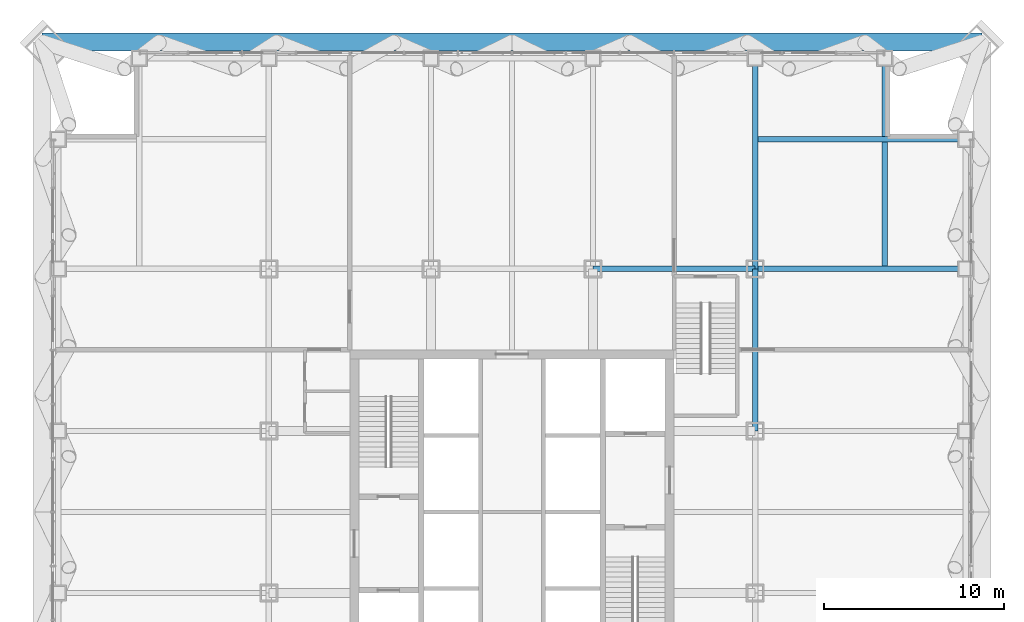
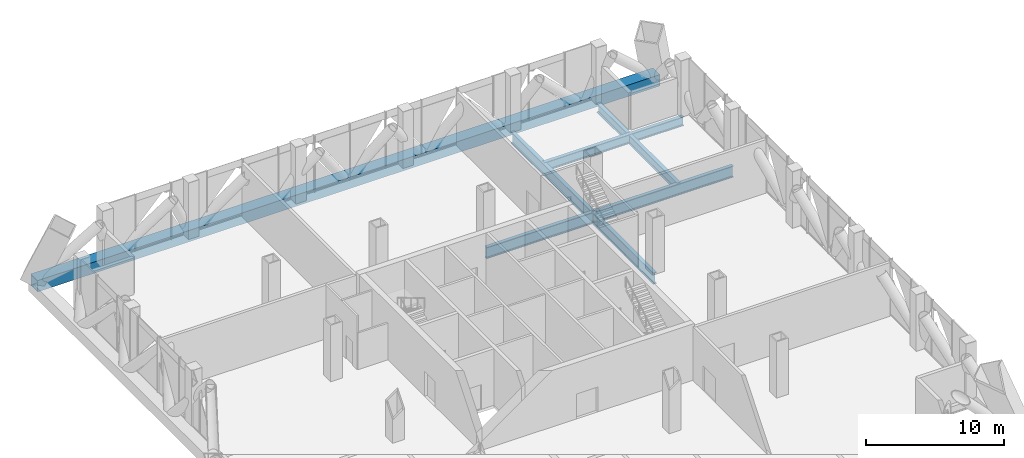
# One storey, part 11 of 26: 6 beams, 1 member.
"""IFC4 building model written with IfcOpenShell, lengths in metres."""

from ifc_helpers import new_model, si_unit, direction, frame, origin, origin_2d, place, context, subcontext, project, spatial, hollow_rectangle, i_section, extrude, material, material_profile, profile_set, type_object, element, save


model = new_model("IFC4")

# Units and contexts
model_context = context("Model", 3, precision=1e-05, world=origin(), true_north=direction((0.0, 1.0)))
body_context = subcontext(model_context, "Body", "Model", "MODEL_VIEW")
ifc_project = project(units=[si_unit("LENGTHUNIT", "METRE"), si_unit("AREAUNIT", "SQUARE_METRE"), si_unit("VOLUMEUNIT", "CUBIC_METRE"), si_unit("PLANEANGLEUNIT", "RADIAN"), si_unit("MASSUNIT", "GRAM", prefix="KILO")], contexts=[model_context])

# Site, building, storey
site_placement = place(None, origin())
site = spatial("IfcSite", under=ifc_project, at=site_placement, CompositionType="ELEMENT")
building_placement = place(site_placement, origin())
building = spatial("IfcBuilding", under=site, at=building_placement, Name="Malebo Sky Hospital", CompositionType="ELEMENT")
storey_placement = place(building_placement, frame((0.0, 0.0, 95.0)))
storey = spatial("IfcBuildingStorey", under=building, at=storey_placement, Name="L22", CompositionType="ELEMENT", Elevation=95.0)

# Beams
ifc_material_1 = material(Name="Steel S355", Category="steel")
ifc_material_profile_1 = material_profile(ifc_material_1, i_section(OverallWidth=0.300048828125, OverallDepth=1.0, WebThickness=0.01904296875, FlangeThickness=0.035888671875, FilletRadius=0.030029296875, at=origin_2d()), Name="HEB 1000")
ifc_profile_set_1 = profile_set([ifc_material_profile_1], Name="Steel S355")
beam_type_1 = type_object("IfcBeamType", Name="FLOOR BEAM HEB 1000", PredefinedType="BEAM", material=ifc_profile_set_1)
for number, where, z_axis, x_axis, name in (
    (1, (73.5, 66.5, -0.75), (0.0, 1.0, 0.0), (-1.0, 0.0, 0.0), "Beam 025 L22"),
    (2, (64.5, 75.5, -0.75), (1.0, 0.0, 0.0), (0.0, 1.0, 0.0), "Beam 059 L22"),
):
    element("IfcBeam", number, at=place(storey_placement, frame(where, z_axis=z_axis, x_axis=x_axis)), inside=storey, type_object=beam_type_1, Name=name, PredefinedType="BEAM", context=body_context, shape_type="SweptSolid", body=[
        extrude(i_section(OverallWidth=0.300048828125, OverallDepth=1.0, WebThickness=0.01904296875, FlangeThickness=0.035888671875, FilletRadius=0.030029296875, at=origin_2d()), origin(), (0.0, 0.0, 1.0), 9.0),
    ])
ifc_material_profile_2 = material_profile(ifc_material_1, i_section(OverallWidth=0.300048828125, OverallDepth=0.800048828125, WebThickness=0.017578125, FlangeThickness=0.032958984375, FilletRadius=0.030029296875, at=origin_2d()), Name="HEB 800")
ifc_profile_set_2 = profile_set([ifc_material_profile_2], Name="Steel S355")
beam_type_2 = type_object("IfcBeamType", Name="FLOOR BEAM HEB 800", PredefinedType="BEAM", material=ifc_profile_set_2)
for number, where, z_axis, x_axis, name in (
    (3, (80.699951171875, 75.5, -0.64990234375), (0.0, 1.0, 0.0), (-1.0, 0.0, 0.0), "Beam 028 L22"),
    (4, (73.5, 82.699951171875, -0.64990234375), (1.0, 0.0, 0.0), (0.0, 1.0, 0.0), "Beam 062 L22"),
):
    element("IfcBeam", number, at=place(storey_placement, frame(where, z_axis=z_axis, x_axis=x_axis)), inside=storey, type_object=beam_type_2, Name=name, PredefinedType="BEAM", context=body_context, shape_type="SweptSolid", body=[
        extrude(i_section(OverallWidth=0.300048828125, OverallDepth=0.800048828125, WebThickness=0.017578125, FlangeThickness=0.032958984375, FilletRadius=0.030029296875, at=origin_2d()), origin(), (0.0, 0.0, 1.0), 11.699951171875),
    ])
ifc_material_profile_3 = material_profile(ifc_material_1, i_section(OverallWidth=0.300048828125, OverallDepth=1.0, WebThickness=0.01904296875, FlangeThickness=0.035888671875, FilletRadius=0.030029296875, at=origin_2d()), Name="HEB 1000")
ifc_profile_set_3 = profile_set([ifc_material_profile_3], Name="Steel S355")
beam_type_3 = type_object("IfcBeamType", Name="FLOOR GIRDER HEB 1000", PredefinedType="BEAM", material=ifc_profile_set_3)
for number, where, z_axis, x_axis, name in (
    (5, (73.5, 75.5, -0.75), (0.0, 1.0, 0.0), (-1.0, 0.0, 0.0), "Beam 026 L22"),
    (6, (73.5, 75.5, -0.75), (1.0, 0.0, 0.0), (0.0, 1.0, 0.0), "Beam 060 L22"),
):
    element("IfcBeam", number, at=place(storey_placement, frame(where, z_axis=z_axis, x_axis=x_axis)), inside=storey, type_object=beam_type_3, Name=name, PredefinedType="BEAM", context=body_context, shape_type="SweptSolid", body=[
        extrude(i_section(OverallWidth=0.300048828125, OverallDepth=1.0, WebThickness=0.01904296875, FlangeThickness=0.035888671875, FilletRadius=0.030029296875, at=origin_2d()), origin(), (0.0, 0.0, 1.0), 11.699951171875),
    ])

# Member
ifc_material_2 = material(Name="Steel S460", Category="steel")
ifc_material_profile_4 = material_profile(ifc_material_2, hollow_rectangle(XDim=1.0, YDim=1.0, WallThickness=0.06005859375, at=origin_2d()), Name="BOX 1000x1000x60")
ifc_profile_set_4 = profile_set([ifc_material_profile_4], Name="Steel S460")
member_type = type_object("IfcMemberType", Name="MEGA TIE BOX 1000x1000x60", PredefinedType="CHORD", material=ifc_profile_set_4)
member_placement = place(storey_placement, frame((86.10009765625, 88.10009765625, -0.39990234375), z_axis=(-1.0, 0.0, 0.0), x_axis=(0.0, -1.0, 0.0)))
element("IfcMember", 7, at=member_placement, inside=storey, type_object=member_type, Name="Mega tie AN L22", PredefinedType="CHORD", context=body_context, shape_type="SweptSolid", body=[
    extrude(hollow_rectangle(XDim=1.0, YDim=1.0, WallThickness=0.06005859375, at=origin_2d()), origin(), (0.0, 0.0, 1.0), 52.2001953125),
])

save(model, "model.ifc")
